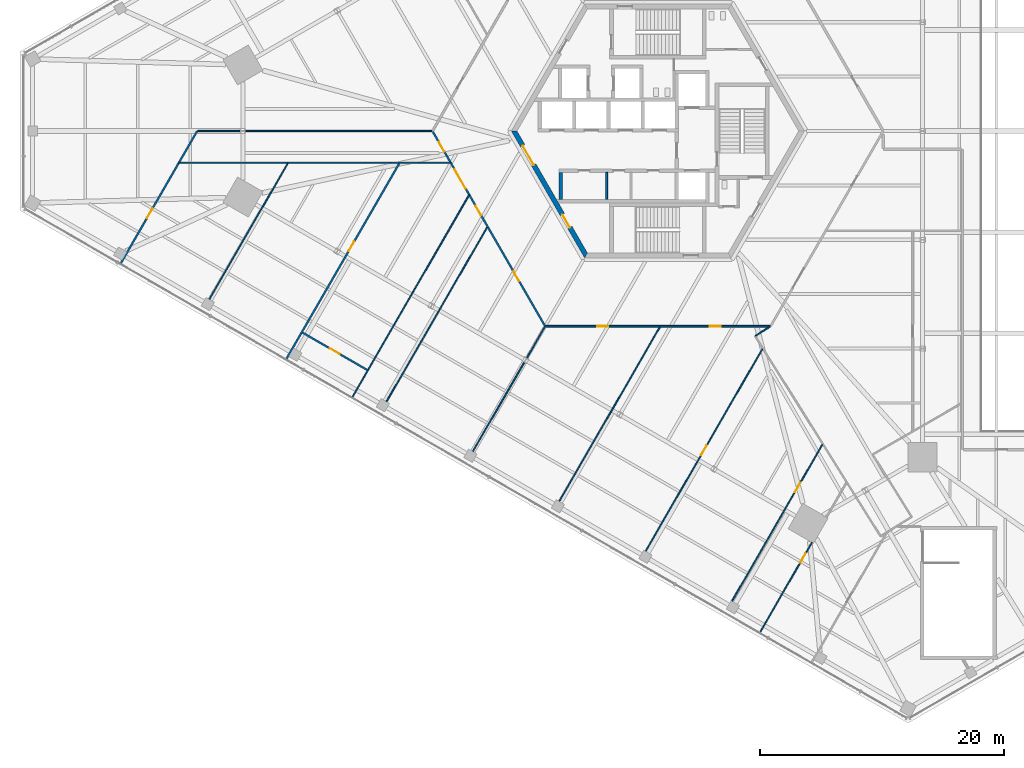
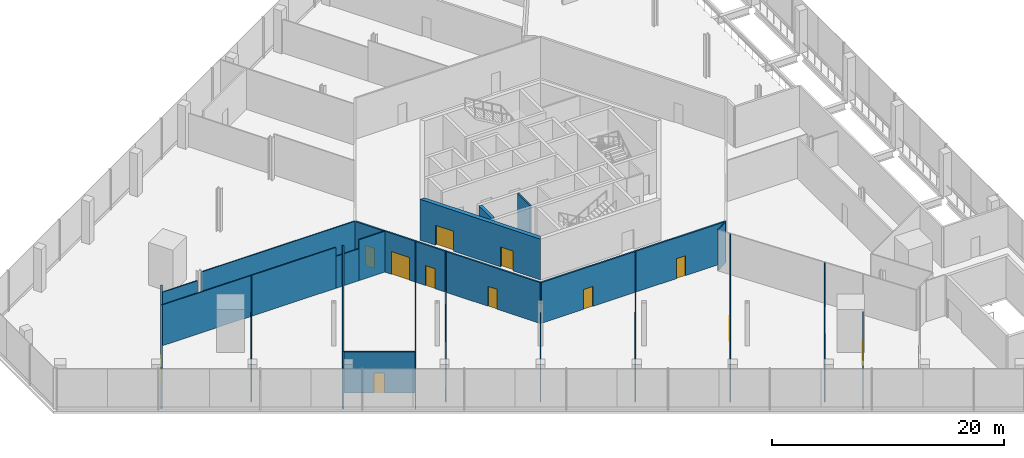
# One storey, part 18 of 25: 26 walls, 14 doors, 14 openings.
"""IFC4 building model written with IfcOpenShell, lengths in metres."""

from ifc_helpers import new_model, si_unit, direction, frame, frame_2d, origin, place, context, subcontext, project, spatial, polyline, rectangle, outline, extrude, source, transform, mapped, material, layer, layer_set, type_object, element, fill, save


model = new_model("IFC4")

# Units and contexts
model_context = context("Model", 3, precision=1e-05, world=origin(), true_north=direction((0.0, 1.0)))
body_context = subcontext(model_context, "Body", "Model", "MODEL_VIEW")
ifc_project = project(units=[si_unit("LENGTHUNIT", "METRE"), si_unit("AREAUNIT", "SQUARE_METRE"), si_unit("VOLUMEUNIT", "CUBIC_METRE"), si_unit("PLANEANGLEUNIT", "RADIAN"), si_unit("MASSUNIT", "GRAM", prefix="KILO")], contexts=[model_context])

# Site, building, storey
site_placement = place(None, origin())
site = spatial("IfcSite", under=ifc_project, at=site_placement, CompositionType="ELEMENT")
building_placement = place(site_placement, origin())
building = spatial("IfcBuilding", under=site, at=building_placement, Name="Triune Harvest Tower", CompositionType="ELEMENT")
storey_placement = place(building_placement, frame((0.0, 0.0, 11.5)))
storey = spatial("IfcBuildingStorey", under=building, at=storey_placement, Name="L02", CompositionType="ELEMENT", Elevation=11.5)

# Wall, openings, doors
ifc_material_1 = material(Name="Gypsum board on steel studs", Category="steel")
ifc_layer_1 = layer(ifc_material_1, 0.14990234375)
ifc_layer_set_1 = layer_set([ifc_layer_1], Name="Gypsum board on steel studs")
wall_type_1 = type_object("IfcWallType", Name="Fire Partition 150 mm", PredefinedType="PARTITIONING", material=ifc_layer_set_1)
wall_1_placement = place(storey_placement, frame((-18.44140625, -0.043212890625, 0.0), z_axis=(0.0, 0.0, 1.0), x_axis=(0.499994421829, -0.866028624319, 0.0)))
wall_1 = element("IfcWall", 1, at=wall_1_placement, inside=storey, type_object=wall_type_1, Name="Partition L02 001", PredefinedType="PARTITIONING", context=body_context, shape_type="SweptSolid", body=[
    extrude(rectangle(XDim=18.416259765625, YDim=0.14990234375, at=frame_2d((9.2080078125, 0.0))), origin(), (0.0, 0.0, 1.0), 4.300048828125),
])
opening_1_placement = place(wall_1_placement, frame((3.602294921875, 0.0, 0.0)))
opening_1 = element("IfcOpeningElement", 2, at=opening_1_placement, cuts=wall_1, Name="Opening L02-018", PredefinedType="OPENING", context=body_context, shape_type="SweptSolid", body=[
    extrude(rectangle(XDim=1.800048828125, YDim=2.39990234375, at=frame_2d((0.89990234375, 1.199951171875))), frame((0.0, 0.0849609375, 0.0), z_axis=(0.0, -1.0, 0.0), x_axis=(1.0, 0.0, 0.0)), (0.0, 0.0, 1.0), 0.169921875),
])
opening_2_placement = place(wall_1_placement, frame((1.000244140625, 0.0, 0.0)))
opening_2 = element("IfcOpeningElement", 3, at=opening_2_placement, cuts=wall_1, Name="Opening L02-021", PredefinedType="OPENING", context=body_context, shape_type="SweptSolid", body=[
    extrude(rectangle(XDim=0.89990234375, YDim=2.10009765625, at=frame_2d((0.449951171875, 1.050048828125))), frame((0.0, 0.0849609375, 0.0), z_axis=(0.0, -1.0, 0.0), x_axis=(1.0, 0.0, 0.0)), (0.0, 0.0, 1.0), 0.169921875),
])
opening_3_placement = place(wall_1_placement, frame((7.030517578125, 0.0, 0.0)))
opening_3 = element("IfcOpeningElement", 4, at=opening_3_placement, cuts=wall_1, Name="Opening L02-023", PredefinedType="OPENING", context=body_context, shape_type="SweptSolid", body=[
    extrude(rectangle(XDim=0.89990234375, YDim=2.10009765625, at=frame_2d((0.449951171875, 1.050048828125))), frame((0.0, 0.0849609375, 0.0), z_axis=(0.0, -1.0, 0.0), x_axis=(1.0, 0.0, 0.0)), (0.0, 0.0, 1.0), 0.169921875),
])
opening_4_placement = place(wall_1_placement, frame((13.232666015625, 0.0, 0.0)))
opening_4 = element("IfcOpeningElement", 5, at=opening_4_placement, cuts=wall_1, Name="Opening L02-024", PredefinedType="OPENING", context=body_context, shape_type="SweptSolid", body=[
    extrude(rectangle(XDim=0.89990234375, YDim=2.10009765625, at=frame_2d((0.449951171875, 1.050048828125))), frame((0.0, 0.0849609375, 0.0), z_axis=(0.0, -1.0, 0.0), x_axis=(1.0, 0.0, 0.0)), (0.0, 0.0, 1.0), 0.169921875),
])
ifc_material_2 = material(Name="Timber and steel door set", Category="steel")
door_type_1 = type_object("IfcDoorType", Name="Double leaf door FD30 1800 x 2400", OperationType="DOUBLE_DOOR_SINGLE_SWING", PredefinedType="DOOR", material=ifc_material_2)
door_1_placement = place(opening_1_placement, origin())
door_1 = element("IfcDoor", 6, at=door_1_placement, inside=storey, type_object=door_type_1, Name="Door L02-018 Market Hall 02.18", OperationType="DOUBLE_DOOR_SINGLE_SWING", OverallHeight=2.39990234375, OverallWidth=1.800048828125, PredefinedType="DOOR", context=body_context, shape_type="SweptSolid", body=[
    extrude(rectangle(XDim=1.800048828125, YDim=2.39990234375, at=frame_2d((0.89990234375, 1.199951171875))), frame((0.0, 0.02490234375, 0.0), z_axis=(0.0, -1.0, 0.0), x_axis=(1.0, 0.0, 0.0)), (0.0, 0.0, 1.0), 0.050048828125),
])
fill(opening_1, door_1)
ifc_material_3 = material(Name="Timber and steel door set", Category="steel")
door_type_2 = type_object("IfcDoorType", Name="Single leaf door FD30 left hand 900 x 2100", OperationType="SINGLE_SWING_LEFT", PredefinedType="DOOR", material=ifc_material_3)
door_2_placement = place(opening_4_placement, origin())
door_2 = element("IfcDoor", 7, at=door_2_placement, inside=storey, type_object=door_type_2, Name="Door L02-024 Classroom 02.24", OperationType="SINGLE_SWING_LEFT", OverallHeight=2.10009765625, OverallWidth=0.89990234375, PredefinedType="DOOR", context=body_context, shape_type="SweptSolid", body=[
    extrude(rectangle(XDim=0.89990234375, YDim=2.10009765625, at=frame_2d((0.449951171875, 1.050048828125))), frame((0.0, 0.02490234375, 0.0), z_axis=(0.0, -1.0, 0.0), x_axis=(1.0, 0.0, 0.0)), (0.0, 0.0, 1.0), 0.050048828125),
])
fill(opening_4, door_2)
ifc_material_4 = material(Name="Timber and steel door set", Category="steel")
door_type_3 = type_object("IfcDoorType", Name="Single leaf door FD30 right hand 900 x 2100", OperationType="SINGLE_SWING_RIGHT", PredefinedType="DOOR", material=ifc_material_4)
door_3_placement = place(opening_2_placement, origin())
door_3 = element("IfcDoor", 8, at=door_3_placement, inside=storey, type_object=door_type_3, Name="Door L02-021 Dry Store Room 02.21", OperationType="SINGLE_SWING_RIGHT", OverallHeight=2.10009765625, OverallWidth=0.89990234375, PredefinedType="DOOR", context=body_context, shape_type="SweptSolid", body=[
    extrude(rectangle(XDim=0.89990234375, YDim=2.10009765625, at=frame_2d((0.449951171875, 1.050048828125))), frame((0.0, 0.02490234375, 0.0), z_axis=(0.0, -1.0, 0.0), x_axis=(1.0, 0.0, 0.0)), (0.0, 0.0, 1.0), 0.050048828125),
])
fill(opening_2, door_3)
door_4_placement = place(opening_3_placement, origin())
door_4 = element("IfcDoor", 9, at=door_4_placement, inside=storey, type_object=door_type_3, Name="Door L02-023 Dry Store Room 02.23", OperationType="SINGLE_SWING_RIGHT", OverallHeight=2.10009765625, OverallWidth=0.89990234375, PredefinedType="DOOR", context=body_context, shape_type="SweptSolid", body=[
    extrude(rectangle(XDim=0.89990234375, YDim=2.10009765625, at=frame_2d((0.449951171875, 1.050048828125))), frame((0.0, 0.02490234375, 0.0), z_axis=(0.0, -1.0, 0.0), x_axis=(1.0, 0.0, 0.0)), (0.0, 0.0, 1.0), 0.050048828125),
])
fill(opening_3, door_4)

# Wall, opening, door
wall_2_placement = place(storey_placement, frame((-29.121826171875, -16.50439453125, 0.0), z_axis=(0.0, 0.0, 1.0), x_axis=(0.866022773512, -0.500004555738, 0.0)))
wall_2 = element("IfcWall", 10, at=wall_2_placement, inside=storey, type_object=wall_type_1, Name="Partition L02 018", PredefinedType="PARTITIONING", context=body_context, shape_type="SweptSolid", body=[
    extrude(rectangle(XDim=6.16796875, YDim=0.14990234375, at=frame_2d((3.083984375, 0.0))), origin(), (0.0, 0.0, 1.0), 4.300048828125),
])
opening_5_placement = place(wall_2_placement, frame((2.60009765625, 0.0, 0.0)))
opening_5 = element("IfcOpeningElement", 11, at=opening_5_placement, cuts=wall_2, Name="Opening L02-022", PredefinedType="OPENING", context=body_context, shape_type="SweptSolid", body=[
    extrude(rectangle(XDim=0.89990234375, YDim=2.10009765625, at=frame_2d((0.449951171875, 1.050048828125))), frame((0.0, 0.0849609375, 0.0), z_axis=(0.0, -1.0, 0.0), x_axis=(1.0, 0.0, 0.0)), (0.0, 0.0, 1.0), 0.169921875),
])
door_5_placement = place(opening_5_placement, origin())
door_5 = element("IfcDoor", 12, at=door_5_placement, inside=storey, type_object=door_type_3, Name="Door L02-022 Dry Store Room 02.22", OperationType="SINGLE_SWING_RIGHT", OverallHeight=2.10009765625, OverallWidth=0.89990234375, PredefinedType="DOOR", context=body_context, shape_type="SweptSolid", body=[
    extrude(rectangle(XDim=0.89990234375, YDim=2.10009765625, at=frame_2d((0.449951171875, 1.050048828125))), frame((0.0, 0.02490234375, 0.0), z_axis=(0.0, -1.0, 0.0), x_axis=(1.0, 0.0, 0.0)), (0.0, 0.0, 1.0), 0.050048828125),
])
fill(opening_5, door_5)

# Wall, openings, doors
wall_3_placement = place(storey_placement, frame((-9.193115234375, -15.9921875, 0.0), z_axis=(0.0, 0.0, 1.0), x_axis=(1.0, 0.0, 0.0)))
wall_3 = element("IfcWall", 13, at=wall_3_placement, inside=storey, type_object=wall_type_1, Name="Partition L02 021", PredefinedType="PARTITIONING", context=body_context, shape_type="SweptSolid", body=[
    extrude(rectangle(XDim=18.384521484375, YDim=0.14990234375, at=frame_2d((9.1923828125, 0.0))), origin(), (0.0, 0.0, 1.0), 4.300048828125),
])
opening_6_placement = place(wall_3_placement, frame((4.2099609375, 0.0, 0.0)))
opening_6 = element("IfcOpeningElement", 14, at=opening_6_placement, cuts=wall_3, Name="Opening L02-025", PredefinedType="OPENING", context=body_context, shape_type="SweptSolid", body=[
    extrude(rectangle(XDim=0.89990234375, YDim=2.10009765625, at=frame_2d((0.449951171875, 1.050048828125))), frame((0.0, 0.0849609375, 0.0), z_axis=(0.0, -1.0, 0.0), x_axis=(1.0, 0.0, 0.0)), (0.0, 0.0, 1.0), 0.169921875),
])
opening_7_placement = place(wall_3_placement, frame((13.44384765625, 0.0, 0.0)))
opening_7 = element("IfcOpeningElement", 15, at=opening_7_placement, cuts=wall_3, Name="Opening L02-026", PredefinedType="OPENING", context=body_context, shape_type="SweptSolid", body=[
    extrude(rectangle(XDim=0.89990234375, YDim=2.10009765625, at=frame_2d((0.449951171875, 1.050048828125))), frame((0.0, 0.0849609375, 0.0), z_axis=(0.0, -1.0, 0.0), x_axis=(1.0, 0.0, 0.0)), (0.0, 0.0, 1.0), 0.169921875),
])
door_6_placement = place(opening_7_placement, origin())
door_6 = element("IfcDoor", 16, at=door_6_placement, inside=storey, type_object=door_type_2, Name="Door L02-026 Classroom 02.26", OperationType="SINGLE_SWING_LEFT", OverallHeight=2.10009765625, OverallWidth=0.89990234375, PredefinedType="DOOR", context=body_context, shape_type="SweptSolid", body=[
    extrude(rectangle(XDim=0.89990234375, YDim=2.10009765625, at=frame_2d((0.449951171875, 1.050048828125))), frame((0.0, 0.02490234375, 0.0), z_axis=(0.0, -1.0, 0.0), x_axis=(1.0, 0.0, 0.0)), (0.0, 0.0, 1.0), 0.050048828125),
])
fill(opening_7, door_6)
door_7_placement = place(opening_6_placement, origin())
door_7 = element("IfcDoor", 17, at=door_7_placement, inside=storey, type_object=door_type_3, Name="Door L02-025 Classroom 02.25", OperationType="SINGLE_SWING_RIGHT", OverallHeight=2.10009765625, OverallWidth=0.89990234375, PredefinedType="DOOR", context=body_context, shape_type="SweptSolid", body=[
    extrude(rectangle(XDim=0.89990234375, YDim=2.10009765625, at=frame_2d((0.449951171875, 1.050048828125))), frame((0.0, 0.02490234375, 0.0), z_axis=(0.0, -1.0, 0.0), x_axis=(1.0, 0.0, 0.0)), (0.0, 0.0, 1.0), 0.050048828125),
])
fill(opening_6, door_7)

# Wall, opening, door
wall_4_placement = place(storey_placement, frame((-30.427734375, -18.666259765625, 0.0), z_axis=(0.0, 0.0, 1.0), x_axis=(0.499997035717, 0.866027115207, 0.0)))
wall_4 = element("IfcWall", 18, at=wall_4_placement, inside=storey, type_object=wall_type_1, Name="Partition L02 052", PredefinedType="PARTITIONING", context=body_context, shape_type="SweptSolid", body=[
    extrude(rectangle(XDim=18.4716796875, YDim=0.14990234375, at=frame_2d((9.23583984375, 0.0))), origin(), (0.0, 0.0, 1.0), 4.300048828125),
])
opening_8_placement = place(wall_4_placement, frame((10.20166015625, 0.0, 0.0)))
opening_8 = element("IfcOpeningElement", 19, at=opening_8_placement, cuts=wall_4, Name="Opening L02-020", PredefinedType="OPENING", context=body_context, shape_type="SweptSolid", body=[
    extrude(rectangle(XDim=0.89990234375, YDim=2.10009765625, at=frame_2d((0.449951171875, 1.050048828125))), frame((0.0, 0.0849609375, 0.0), z_axis=(0.0, -1.0, 0.0), x_axis=(1.0, 0.0, 0.0)), (0.0, 0.0, 1.0), 0.169921875),
])
door_8_placement = place(opening_8_placement, origin())
door_8 = element("IfcDoor", 20, at=door_8_placement, inside=storey, type_object=door_type_3, Name="Door L02-020 Dry Store Room 02.20", OperationType="SINGLE_SWING_RIGHT", OverallHeight=2.10009765625, OverallWidth=0.89990234375, PredefinedType="DOOR", context=body_context, shape_type="SweptSolid", body=[
    extrude(rectangle(XDim=0.89990234375, YDim=2.10009765625, at=frame_2d((0.449951171875, 1.050048828125))), frame((0.0, 0.02490234375, 0.0), z_axis=(0.0, -1.0, 0.0), x_axis=(1.0, 0.0, 0.0)), (0.0, 0.0, 1.0), 0.050048828125),
])
fill(opening_8, door_8)

wall_5_placement = place(storey_placement, frame((-43.9912109375, -10.835205078125, 0.0), z_axis=(0.0, 0.0, 1.0), x_axis=(0.499994405027, 0.86602863402, 0.0)))
wall_5 = element("IfcWall", 21, at=wall_5_placement, inside=storey, type_object=wall_type_1, Name="Partition L02 054", PredefinedType="PARTITIONING", context=body_context, shape_type="SweptSolid", body=[
    extrude(rectangle(XDim=12.511474609375, YDim=0.14990234375, at=frame_2d((6.255859375, 0.0))), origin(), (0.0, 0.0, 1.0), 4.300048828125),
])
opening_9_placement = place(wall_5_placement, frame((4.27490234375, 0.0, 0.0)))
opening_9 = element("IfcOpeningElement", 22, at=opening_9_placement, cuts=wall_5, Name="Opening L02-019", PredefinedType="OPENING", context=body_context, shape_type="SweptSolid", body=[
    extrude(rectangle(XDim=0.89990234375, YDim=2.10009765625, at=frame_2d((0.449951171875, 1.050048828125))), frame((0.0, 0.0849609375, 0.0), z_axis=(0.0, -1.0, 0.0), x_axis=(1.0, 0.0, 0.0)), (0.0, 0.0, 1.0), 0.169921875),
])
door_9_placement = place(opening_9_placement, origin())
door_9 = element("IfcDoor", 23, at=door_9_placement, inside=storey, type_object=door_type_3, Name="Door L02-019 Dry Store Room 02.19", OperationType="SINGLE_SWING_RIGHT", OverallHeight=2.10009765625, OverallWidth=0.89990234375, PredefinedType="DOOR", context=body_context, shape_type="SweptSolid", body=[
    extrude(rectangle(XDim=0.89990234375, YDim=2.10009765625, at=frame_2d((0.449951171875, 1.050048828125))), frame((0.0, 0.02490234375, 0.0), z_axis=(0.0, -1.0, 0.0), x_axis=(1.0, 0.0, 0.0)), (0.0, 0.0, 1.0), 0.050048828125),
])
fill(opening_9, door_9)

# Walls
ifc_material_5 = material(Name="Gypsum board on steel studs", Category="steel")
ifc_layer_2 = layer(ifc_material_5, 0.10009765625)
ifc_layer_set_2 = layer_set([ifc_layer_2], Name="Gypsum board on steel studs")
wall_type_2 = type_object("IfcWallType", Name="Partition 100 mm", PredefinedType="PARTITIONING", material=ifc_layer_set_2)
wall_6_placement = place(storey_placement, frame((-39.23681640625, -2.60009765625, 0.0), z_axis=(0.0, 0.0, 1.0), x_axis=(1.0, 0.0, 0.0)))
element("IfcWall", 24, at=wall_6_placement, inside=storey, type_object=wall_type_2, Name="Partition L02 023", PredefinedType="PARTITIONING", context=body_context, shape_type="SweptSolid", body=[
    extrude(rectangle(XDim=17.321533203125, YDim=0.10009765625, at=frame_2d((8.66064453125, 0.0))), origin(), (0.0, 0.0, 1.0), 4.300048828125),
])
wall_7_placement = place(storey_placement, frame((-21.915283203125, -2.60009765625, 0.0), z_axis=(0.0, 0.0, 1.0), x_axis=(1.0, 0.0, 0.0)))
element("IfcWall", 25, at=wall_7_placement, inside=storey, type_object=wall_type_2, Name="Partition L02 023a", PredefinedType="PARTITIONING", context=body_context, shape_type="SweptSolid", body=[
    extrude(rectangle(XDim=2.317138671875, YDim=0.10009765625, at=frame_2d((1.15869140625, 0.0))), origin(), (0.0, 0.0, 1.0), 3.357666015625),
])
wall_8_placement = place(storey_placement, frame((-19.59814453125, -2.60009765625, 0.0), z_axis=(0.0, 0.0, 1.0), x_axis=(1.0, 0.0, 0.0)))
element("IfcWall", 26, at=wall_8_placement, inside=storey, type_object=wall_type_2, Name="Partition L02 023b", PredefinedType="PARTITIONING", context=body_context, shape_type="SweptSolid", body=[
    extrude(rectangle(XDim=2.633056640625, YDim=0.10009765625, at=frame_2d((1.31640625, 0.0))), origin(), (0.0, 0.0, 1.0), 4.300048828125),
])
wall_9_placement = place(storey_placement, frame((-37.695556640625, 0.0, 0.0), z_axis=(0.0, 0.0, 1.0), x_axis=(1.0, 0.0, 0.0)))
element("IfcWall", 27, at=wall_9_placement, inside=storey, type_object=wall_type_2, Name="Partition L02 025", PredefinedType="PARTITIONING", context=body_context, shape_type="SweptSolid", body=[
    extrude(rectangle(XDim=3.513671875, YDim=0.10009765625, at=frame_2d((1.7568359375, 0.0))), origin(), (0.0, 0.0, 1.0), 3.52783203125),
])
wall_10_placement = place(storey_placement, frame((-33.79541015625, 0.0, 0.0), z_axis=(0.0, 0.0, 1.0), x_axis=(1.0, 0.0, 0.0)))
element("IfcWall", 28, at=wall_10_placement, inside=storey, type_object=wall_type_2, Name="Partition L02 026", PredefinedType="PARTITIONING", context=body_context, shape_type="SweptSolid", body=[
    extrude(rectangle(XDim=15.2890625, YDim=0.10009765625, at=frame_2d((7.64453125, 0.0))), origin(), (0.0, 0.0, 1.0), 4.300048828125),
])
wall_11_placement = place(storey_placement, frame((7.98779296875, -16.773193359375, 0.0), z_axis=(0.0, 0.0, 1.0), x_axis=(0.84724259676, 0.531206157942, 0.0)))
element("IfcWall", 29, at=wall_11_placement, inside=storey, type_object=wall_type_2, Name="Partition L02 035", PredefinedType="PARTITIONING", context=body_context, shape_type="SweptSolid", body=[
    extrude(rectangle(XDim=1.2900390625, YDim=0.10009765625, at=frame_2d((0.64501953125, 0.0))), origin(), (0.0, 0.0, 1.0), 4.300048828125),
])

# Wall, opening, door
wall_12_placement = place(storey_placement, frame((8.36669921875, -41.064208984375, 0.0), z_axis=(0.0, 0.0, 1.0), x_axis=(0.500002254446, 0.866024102175, 0.0)))
wall_12 = element("IfcWall", 30, at=wall_12_placement, inside=storey, type_object=wall_type_2, Name="Partition L02 040", PredefinedType="PARTITIONING", context=body_context, shape_type="SweptSolid", body=[
    extrude(rectangle(XDim=8.509765625, YDim=0.10009765625, at=frame_2d((4.2548828125, 0.0))), origin(), (0.0, 0.0, 1.0), 4.300048828125),
])
opening_10_placement = place(wall_12_placement, frame((6.574951171875, 0.0, 0.0)))
opening_10 = element("IfcOpeningElement", 31, at=opening_10_placement, cuts=wall_12, Name="Opening L02-029", PredefinedType="OPENING", context=body_context, shape_type="SweptSolid", body=[
    extrude(rectangle(XDim=0.89990234375, YDim=2.10009765625, at=frame_2d((0.449951171875, 1.050048828125))), frame((0.0, 0.06005859375, 0.0), z_axis=(0.0, -1.0, 0.0), x_axis=(1.0, 0.0, 0.0)), (0.0, 0.0, 1.0), 0.1201171875),
])
ifc_material_6 = material(Name="Timber and steel door set", Category="steel")
door_type_4 = type_object("IfcDoorType", Name="Single leaf door left hand 900 x 2100", OperationType="SINGLE_SWING_LEFT", PredefinedType="DOOR", material=ifc_material_6)
door_10_placement = place(opening_10_placement, origin())
door_10 = element("IfcDoor", 32, at=door_10_placement, inside=storey, type_object=door_type_4, Name="Door L02-029 Dry Store Room 02.29", OperationType="SINGLE_SWING_LEFT", OverallHeight=2.10009765625, OverallWidth=0.89990234375, PredefinedType="DOOR", context=body_context, shape_type="SweptSolid", body=[
    extrude(rectangle(XDim=0.89990234375, YDim=2.10009765625, at=frame_2d((0.449951171875, 1.050048828125))), frame((0.0, 0.02490234375, 0.0), z_axis=(0.0, -1.0, 0.0), x_axis=(1.0, 0.0, 0.0)), (0.0, 0.0, 1.0), 0.050048828125),
])
fill(opening_10, door_10)

wall_13_placement = place(storey_placement, frame((6.063720703125, -38.517333984375, 0.0), z_axis=(0.0, 0.0, 1.0), x_axis=(0.49999573669, 0.866027865194, 0.0)))
wall_13 = element("IfcWall", 33, at=wall_13_placement, inside=storey, type_object=wall_type_2, Name="Partition L02 042", PredefinedType="PARTITIONING", context=body_context, shape_type="SweptSolid", body=[
    extrude(rectangle(XDim=14.822021484375, YDim=0.10009765625, at=frame_2d((7.4111328125, 0.0))), origin(), (0.0, 0.0, 1.0), 4.300048828125),
])
opening_11_placement = place(wall_13_placement, frame((10.3154296875, 0.0, 0.0)))
opening_11 = element("IfcOpeningElement", 34, at=opening_11_placement, cuts=wall_13, Name="Opening L02-028", PredefinedType="OPENING", context=body_context, shape_type="SweptSolid", body=[
    extrude(rectangle(XDim=0.89990234375, YDim=2.10009765625, at=frame_2d((0.449951171875, 1.050048828125))), frame((0.0, 0.06005859375, 0.0), z_axis=(0.0, -1.0, 0.0), x_axis=(1.0, 0.0, 0.0)), (0.0, 0.0, 1.0), 0.1201171875),
])
door_11_placement = place(opening_11_placement, origin())
door_11 = element("IfcDoor", 35, at=door_11_placement, inside=storey, type_object=door_type_4, Name="Door L02-028 Office 02.28", OperationType="SINGLE_SWING_LEFT", OverallHeight=2.10009765625, OverallWidth=0.89990234375, PredefinedType="DOOR", context=body_context, shape_type="SweptSolid", body=[
    extrude(rectangle(XDim=0.89990234375, YDim=2.10009765625, at=frame_2d((0.449951171875, 1.050048828125))), frame((0.0, 0.02490234375, 0.0), z_axis=(0.0, -1.0, 0.0), x_axis=(1.0, 0.0, 0.0)), (0.0, 0.0, 1.0), 0.050048828125),
])
fill(opening_11, door_11)

wall_14_placement = place(storey_placement, frame((-1.01171875, -34.432373046875, 0.0), z_axis=(0.0, 0.0, 1.0), x_axis=(0.500000180364, 0.866025299651, 0.0)))
wall_14 = element("IfcWall", 36, at=wall_14_placement, inside=storey, type_object=wall_type_2, Name="Partition L02 043", PredefinedType="PARTITIONING", context=body_context, shape_type="SweptSolid", body=[
    extrude(rectangle(XDim=19.150390625, YDim=0.10009765625, at=frame_2d((9.5751953125, 0.0))), origin(), (0.0, 0.0, 1.0), 4.300048828125),
])
opening_12_placement = place(wall_14_placement, frame((9.120849609375, 0.0, 0.0)))
opening_12 = element("IfcOpeningElement", 37, at=opening_12_placement, cuts=wall_14, Name="Opening L02-027", PredefinedType="OPENING", context=body_context, shape_type="SweptSolid", body=[
    extrude(rectangle(XDim=0.89990234375, YDim=2.10009765625, at=frame_2d((0.449951171875, 1.050048828125))), frame((0.0, 0.06005859375, 0.0), z_axis=(0.0, -1.0, 0.0), x_axis=(1.0, 0.0, 0.0)), (0.0, 0.0, 1.0), 0.1201171875),
])
ifc_material_7 = material(Name="Timber and steel door set", Category="steel")
door_type_5 = type_object("IfcDoorType", Name="Single leaf door right hand 900 x 2100", OperationType="SINGLE_SWING_RIGHT", PredefinedType="DOOR", material=ifc_material_7)
door_12_placement = place(opening_12_placement, origin())
door_12 = element("IfcDoor", 38, at=door_12_placement, inside=storey, type_object=door_type_5, Name="Door L02-027 Classroom 02.27", OperationType="SINGLE_SWING_RIGHT", OverallHeight=2.10009765625, OverallWidth=0.89990234375, PredefinedType="DOOR", context=body_context, shape_type="SweptSolid", body=[
    extrude(rectangle(XDim=0.89990234375, YDim=2.10009765625, at=frame_2d((0.449951171875, 1.050048828125))), frame((0.0, 0.02490234375, 0.0), z_axis=(0.0, -1.0, 0.0), x_axis=(1.0, 0.0, 0.0)), (0.0, 0.0, 1.0), 0.050048828125),
])
fill(opening_12, door_12)

# Walls
wall_15_placement = place(storey_placement, frame((-15.161865234375, -26.2626953125, 0.0), z_axis=(0.0, 0.0, 1.0), x_axis=(0.499984984754, 0.866034072667, 0.0)))
element("IfcWall", 39, at=wall_15_placement, inside=storey, type_object=wall_type_2, Name="Partition L02 046", PredefinedType="PARTITIONING", context=body_context, shape_type="SweptSolid", body=[
    extrude(rectangle(XDim=8.452392578125, YDim=0.10009765625, at=frame_2d((4.22607421875, 0.0))), origin(), (0.0, 0.0, 1.0), 3.52783203125),
])
wall_16_placement = place(storey_placement, frame((-10.74267578125, -18.60791015625, 0.0), z_axis=(0.0, 0.0, 1.0), x_axis=(0.499989573202, 0.866031423615, 0.0)))
element("IfcWall", 40, at=wall_16_placement, inside=storey, type_object=wall_type_2, Name="Partition L02 047", PredefinedType="PARTITIONING", context=body_context, shape_type="SweptSolid", body=[
    extrude(rectangle(XDim=2.97998046875, YDim=0.10009765625, at=frame_2d((1.489990234375, 0.0))), origin(), (0.0, 0.0, 1.0), 3.687744140625),
])
wall_17_placement = place(storey_placement, frame((-25.016845703125, -21.790283203125, 0.0), z_axis=(0.0, 0.0, 1.0), x_axis=(0.499998622058, 0.866026199338, 0.0)))
element("IfcWall", 41, at=wall_17_placement, inside=storey, type_object=wall_type_2, Name="Partition L02 050", PredefinedType="PARTITIONING", context=body_context, shape_type="SweptSolid", body=[
    extrude(rectangle(XDim=19.130859375, YDim=0.10009765625, at=frame_2d((9.5654296875, 0.0))), origin(), (0.0, 0.0, 1.0), 4.300048828125),
])
wall_18_placement = place(storey_placement, frame((-32.506103515625, -6.44189453125, 0.0), z_axis=(0.0, 0.0, 1.0), x_axis=(0.500041894521, 0.86600121462, 0.0)))
element("IfcWall", 42, at=wall_18_placement, inside=storey, type_object=wall_type_2, Name="Partition L02 053a", PredefinedType="PARTITIONING", context=body_context, shape_type="SweptSolid", body=[
    extrude(rectangle(XDim=4.366455078125, YDim=0.10009765625, at=frame_2d((2.18310546875, 0.0))), origin(), (0.0, 0.0, 1.0), 4.300048828125),
])

# Wall, openings, doors
ifc_material_8 = material(Name="Concrete 70 MPa", Category="concrete")
ifc_layer_3 = layer(ifc_material_8, 0.39990234375)
ifc_layer_set_3 = layer_set([ifc_layer_3], Name="Concrete 70 MPa")
wall_type_3 = type_object("IfcWallType", Name="Core wall 400", PredefinedType="SHEAR", material=ifc_layer_set_3)
shared_shape_1 = source(origin(), body_context, "Body", "SweptSolid", [
    extrude(outline(polyline([(-0.115478515625, -0.199951171875), (11.884521484375, -0.199951171875), (11.653564453125, 0.199951171875), (0.115478515625, 0.199951171875), (-0.115478515625, -0.199951171875)])), origin(), (0.0, 0.0, 1.0), 4.300048828125),
])
wall_19_placement = place(storey_placement, frame((-11.76904296875, 0.0, 0.0), z_axis=(0.0, 0.0, 1.0), x_axis=(0.499996592174, -0.866027371285, 0.0)))
wall_19 = element("IfcWall", 43, at=wall_19_placement, inside=storey, type_object=wall_type_3, Name="Hexagon 3 wall", PredefinedType="SHEAR", context=body_context, shape_type="MappedRepresentation", body=[
    mapped(shared_shape_1, transform((0.0, 0.0, 0.0), scale=1.0)),
])
opening_13_placement = place(wall_19_placement, frame((1.404541015625, 0.0, 0.0)))
opening_13 = element("IfcOpeningElement", 44, at=opening_13_placement, cuts=wall_19, Name="Opening CD-LS", PredefinedType="OPENING", context=body_context, shape_type="SweptSolid", body=[
    extrude(rectangle(XDim=1.800048828125, YDim=2.10009765625, at=frame_2d((0.89990234375, 1.050048828125))), frame((0.0, 0.2099609375, 0.0), z_axis=(0.0, -1.0, 0.0), x_axis=(1.0, 0.0, 0.0)), (0.0, 0.0, 1.0), 0.419921875),
])
opening_14_placement = place(wall_19_placement, frame((7.91455078125, 0.0, 0.0)))
opening_14 = element("IfcOpeningElement", 45, at=opening_14_placement, cuts=wall_19, Name="Opening CD-SWP", PredefinedType="OPENING", context=body_context, shape_type="SweptSolid", body=[
    extrude(rectangle(XDim=1.199951171875, YDim=2.10009765625, at=frame_2d((0.60009765625, 1.050048828125))), frame((0.0, 0.2099609375, 0.0), z_axis=(0.0, -1.0, 0.0), x_axis=(1.0, 0.0, 0.0)), (0.0, 0.0, 1.0), 0.419921875),
])
ifc_material_9 = material(Name="Steel S235", Category="steel")
door_type_6 = type_object("IfcDoorType", Name="Lobby door 1800 FD120", OperationType="DOUBLE_DOOR_DOUBLE_SWING", PredefinedType="DOOR", material=ifc_material_9)
door_13_placement = place(opening_13_placement, frame((1.800048828125, 0.0, 0.0), z_axis=(0.0, 0.0, 1.0), x_axis=(-1.0, 0.0, 0.0)))
door_13 = element("IfcDoor", 46, at=door_13_placement, inside=storey, type_object=door_type_6, Name="Door CD-LS", OperationType="DOUBLE_DOOR_DOUBLE_SWING", OverallHeight=2.10009765625, OverallWidth=1.800048828125, PredefinedType="DOOR", context=body_context, shape_type="SweptSolid", body=[
    extrude(rectangle(XDim=1.800048828125, YDim=2.10009765625, at=frame_2d((0.89990234375, 1.050048828125))), frame((0.0, 0.02490234375, 0.0), z_axis=(0.0, -1.0, 0.0), x_axis=(1.0, 0.0, 0.0)), (0.0, 0.0, 1.0), 0.050048828125),
])
fill(opening_13, door_13)
ifc_material_10 = material(Name="Steel S235", Category="steel")
door_type_7 = type_object("IfcDoorType", Name="Service door 1200 FD120", OperationType="SINGLE_SWING_LEFT", PredefinedType="DOOR", material=ifc_material_10)
door_14_placement = place(opening_14_placement, frame((1.199951171875, 0.0, 0.0), z_axis=(0.0, 0.0, 1.0), x_axis=(-1.0, 0.0, 0.0)))
door_14 = element("IfcDoor", 47, at=door_14_placement, inside=storey, type_object=door_type_7, Name="Door CD-SWP", OperationType="SINGLE_SWING_RIGHT", OverallHeight=2.10009765625, OverallWidth=1.199951171875, PredefinedType="DOOR", context=body_context, shape_type="SweptSolid", body=[
    extrude(rectangle(XDim=1.199951171875, YDim=2.10009765625, at=frame_2d((0.60009765625, 1.050048828125))), frame((0.0, 0.02490234375, 0.0), z_axis=(0.0, -1.0, 0.0), x_axis=(1.0, 0.0, 0.0)), (0.0, 0.0, 1.0), 0.050048828125),
])
fill(opening_14, door_14)

# Walls
ifc_material_11 = material(Name="Concrete 70 MPa", Category="concrete")
ifc_layer_4 = layer(ifc_material_11, 0.300048828125)
ifc_layer_set_4 = layer_set([ifc_layer_4], Name="Concrete 70 MPa")
wall_type_4 = type_object("IfcWallType", Name="Core wall 300", PredefinedType="SHEAR", material=ifc_layer_set_4)
shared_shape_2 = source(origin(), body_context, "Body", "SweptSolid", [
    extrude(rectangle(XDim=2.2001953125, YDim=0.300048828125, at=frame_2d((1.10009765625, 0.0))), origin(), (0.0, 0.0, 1.0), 4.300048828125),
])
wall_20_placement = place(storey_placement, frame((-7.949951171875, -5.590087890625, 0.0), z_axis=(0.0, 0.0, 1.0), x_axis=(0.0, 1.0, 0.0)))
element("IfcWall", 48, at=wall_20_placement, inside=storey, type_object=wall_type_4, Name="South end west wall", PredefinedType="SHEAR", context=body_context, shape_type="MappedRepresentation", body=[
    mapped(shared_shape_2, transform((0.0, 0.0, 0.0), scale=1.0)),
])
ifc_material_12 = material(Name="Concrete masonry unit", Category="masonry")
ifc_layer_5 = layer(ifc_material_12, 0.14990234375)
ifc_layer_set_5 = layer_set([ifc_layer_5], Name="Concrete masonry unit")
wall_type_5 = type_object("IfcWallType", Name="Block partition 150", PredefinedType="PARTITIONING", material=ifc_layer_set_5)
shared_shape_3 = source(origin(), body_context, "Body", "SweptSolid", [
    extrude(rectangle(XDim=2.2001953125, YDim=0.14990234375, at=frame_2d((1.10009765625, 0.0))), origin(), (0.0, 0.0, 1.0), 4.300048828125),
])
wall_21_placement = place(storey_placement, frame((-4.199951171875, -5.590087890625, 0.0), z_axis=(0.0, 0.0, 1.0), x_axis=(0.0, 1.0, 0.0)))
element("IfcWall", 49, at=wall_21_placement, inside=storey, type_object=wall_type_5, Name="Row s part 1 wall", PredefinedType="PARTITIONING", context=body_context, shape_type="MappedRepresentation", body=[
    mapped(shared_shape_3, transform((0.0, 0.0, 0.0), scale=1.0)),
])
shared_shape_4 = source(origin(), body_context, "Body", "SweptSolid", [
    extrude(rectangle(XDim=8.4931640625, YDim=0.10009765625, at=frame_2d((4.24658203125, 0.0))), origin(), (0.0, 0.0, 1.0), 3.52783203125),
])
for number, where, z_axis, x_axis, name in (
    (50, (-22.238037109375, -22.17724609375, 0.0), (0.0, 0.0, 1.0), (0.500003631449, 0.866023307156, 0.0), "Partition L02 049"),
    (51, (-36.75244140625, -13.79736328125, 0.0), (0.0, 0.0, 1.0), (0.499969624875, 0.866042940161, 0.0), "Partition L02 053"),
):
    element("IfcWall", number, at=place(storey_placement, frame(where, z_axis=z_axis, x_axis=x_axis)), inside=storey, type_object=wall_type_2, Name=name, PredefinedType="PARTITIONING", context=body_context, shape_type="MappedRepresentation", body=[
        mapped(shared_shape_4, transform((0.0, 0.0, 0.0), scale=1.0)),
    ])
shared_shape_5 = source(origin(), body_context, "Body", "SweptSolid", [
    extrude(rectangle(XDim=7.99267578125, YDim=0.10009765625, at=frame_2d((3.996337890625, 0.0))), origin(), (0.0, 0.0, 1.0), 4.300048828125),
])
wall_22_placement = place(storey_placement, frame((-17.991455078125, -14.822021484375, 0.0), z_axis=(0.0, 0.0, 1.0), x_axis=(0.499999202028, 0.866025864493, 0.0)))
element("IfcWall", 52, at=wall_22_placement, inside=storey, type_object=wall_type_2, Name="Partition L02 049a", PredefinedType="PARTITIONING", context=body_context, shape_type="MappedRepresentation", body=[
    mapped(shared_shape_5, transform((0.0, 0.0, 0.0), scale=1.0)),
])
shared_shape_6 = source(origin(), body_context, "Body", "SweptSolid", [
    extrude(rectangle(XDim=8.493408203125, YDim=0.10009765625, at=frame_2d((4.24658203125, 0.0))), origin(), (0.0, 0.0, 1.0), 3.52783203125),
])
wall_23_placement = place(storey_placement, frame((-8.087158203125, -30.347412109375, 0.0), z_axis=(0.0, 0.0, 1.0), x_axis=(0.499991184371, 0.86603049343, 0.0)))
element("IfcWall", 53, at=wall_23_placement, inside=storey, type_object=wall_type_2, Name="Partition L02 045", PredefinedType="PARTITIONING", context=body_context, shape_type="MappedRepresentation", body=[
    mapped(shared_shape_6, transform((0.0, 0.0, 0.0), scale=1.0)),
])
shared_shape_7 = source(origin(), body_context, "Body", "SweptSolid", [
    extrude(rectangle(XDim=7.992431640625, YDim=0.10009765625, at=frame_2d((3.99609375, 0.0))), origin(), (0.0, 0.0, 1.0), 4.300048828125),
])
wall_24_placement = place(storey_placement, frame((-3.840576171875, -22.991943359375, 0.0), z_axis=(0.0, 0.0, 1.0), x_axis=(0.500012428892, 0.866018227841, 0.0)))
element("IfcWall", 54, at=wall_24_placement, inside=storey, type_object=wall_type_2, Name="Partition L02 045a", PredefinedType="PARTITIONING", context=body_context, shape_type="MappedRepresentation", body=[
    mapped(shared_shape_7, transform((0.0, 0.0, 0.0), scale=1.0)),
])

save(model, "model.ifc")
